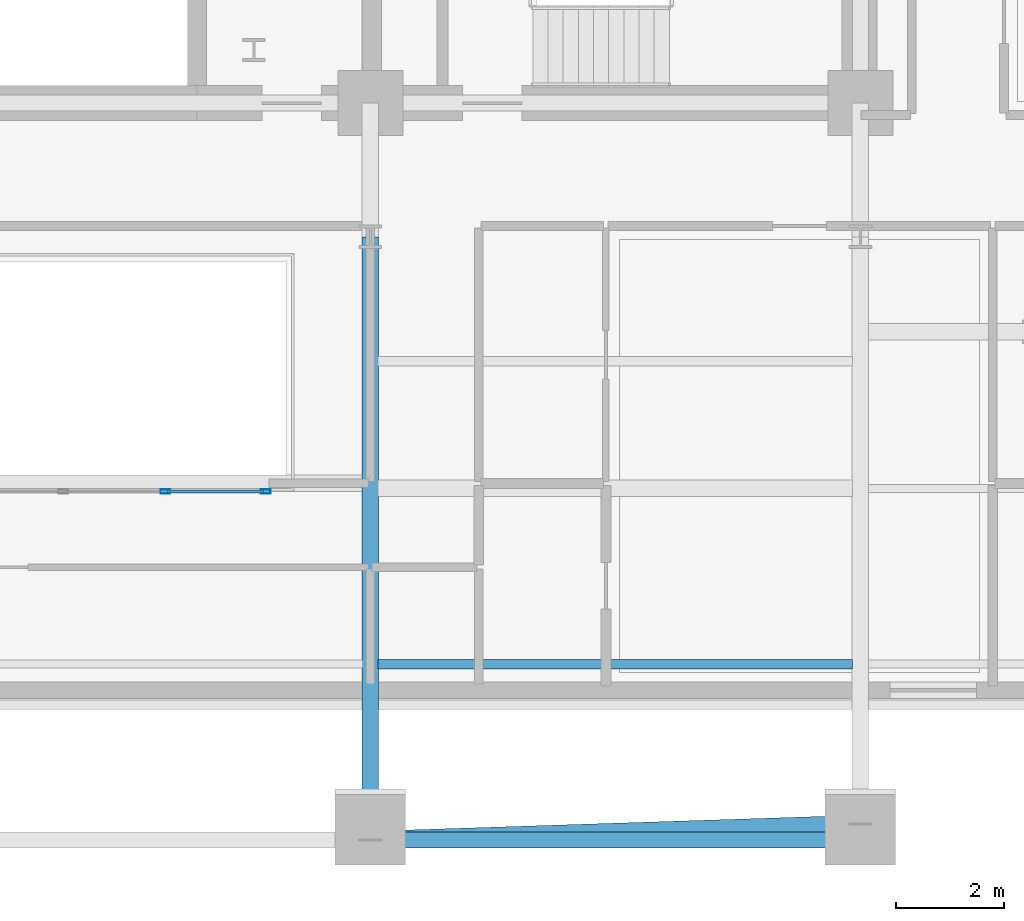
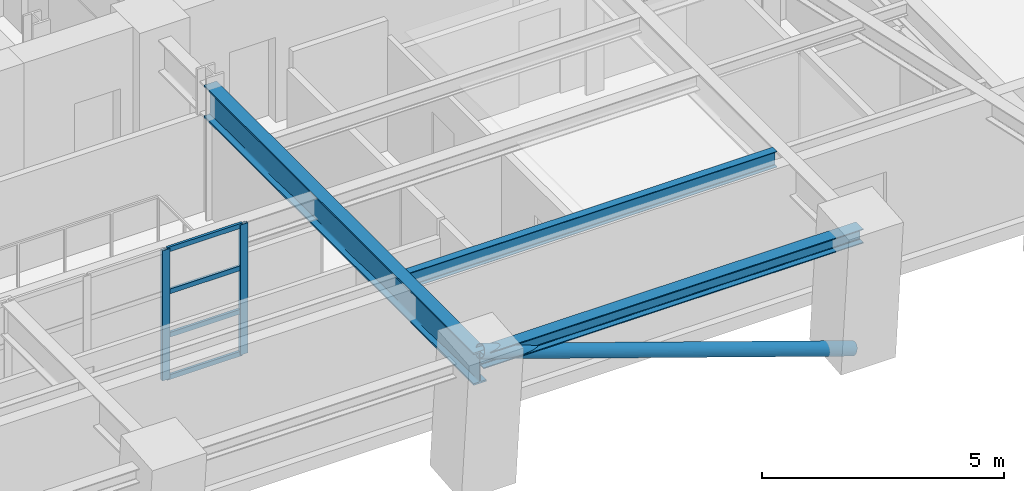
# One storey, part 4 of 14: 7 members, 3 beams, 1 element without a shape of its own.
"""IFC4 building model written with IfcOpenShell, lengths in metres."""

from ifc_helpers import new_model, si_unit, direction, frame, origin, origin_2d, place, context, subcontext, project, spatial, hollow_rectangle, hollow_circle, i_section, extrude, material, layer, layer_set, material_profile, profile_set, type_object, element, aggregate, save


model = new_model("IFC4")

# Units and contexts
model_context = context("Model", 3, precision=1e-05, world=origin(), true_north=direction((0.0, 1.0)))
body_context = subcontext(model_context, "Body", "Model", "MODEL_VIEW")
ifc_project = project(units=[si_unit("LENGTHUNIT", "METRE"), si_unit("AREAUNIT", "SQUARE_METRE"), si_unit("VOLUMEUNIT", "CUBIC_METRE"), si_unit("PLANEANGLEUNIT", "RADIAN"), si_unit("MASSUNIT", "GRAM", prefix="KILO")], contexts=[model_context])

# Site, building, storey
site_placement = place(None, origin())
site = spatial("IfcSite", under=ifc_project, at=site_placement, CompositionType="ELEMENT")
building_placement = place(site_placement, origin())
building = spatial("IfcBuilding", under=site, at=building_placement, Name="Zarnavel Station Tower", CompositionType="ELEMENT")
storey_placement = place(building_placement, frame((0.0, 0.0, 129.300048828125)))
storey = spatial("IfcBuildingStorey", under=building, at=storey_placement, Name="L35", CompositionType="ELEMENT", Elevation=129.300048828125)

# Curtain wall, members
ifc_material_1 = material(Name="Aluminium Dark Anodised and Solar-Control Glass", Category="aluminium")
ifc_layer = layer(ifc_material_1, 0.179931640625)
ifc_layer_set = layer_set([ifc_layer], Name="CWS3")
curtain_wall_type = type_object("IfcCurtainWallType", Name="CWS3", PredefinedType="NOTDEFINED", material=ifc_layer_set)
curtain_wall_placement = place(storey_placement, origin())
curtain_wall = element("IfcCurtainWall", 1, at=curtain_wall_placement, inside=storey, type_object=curtain_wall_type, Name="L35 Curtain Wall CWS3-L35-AS", PredefinedType="NOTDEFINED")
ifc_material_2 = material(Name="Steel S355J2 (Black Fluoropolymer Coated)", Category="steel")
ifc_material_profile_1 = material_profile(ifc_material_2, hollow_rectangle(XDim=0.080078125, YDim=0.179931640625, WallThickness=0.00634765625, at=origin_2d()), Name="RHS180x80x6.3")
ifc_profile_set_1 = profile_set([ifc_material_profile_1], Name="Steel S355J2 (Black Fluoropolymer Coated)")
member_type_1 = type_object("IfcMemberType", Name="CWS3_MUL", PredefinedType="MULLION", material=ifc_profile_set_1)
member_1_placement = place(storey_placement, frame((32.566650390625, 20.64990234375, 0.0), z_axis=(0.0, 0.0, 1.0), x_axis=(0.0, 1.0, 0.0)))
member_1 = element("IfcMember", 2, at=member_1_placement, type_object=member_type_1, Name="CW3 mullion 6", PredefinedType="MULLION", context=body_context, shape_type="SweptSolid", body=[
    extrude(hollow_rectangle(XDim=0.080078125, YDim=0.179931640625, WallThickness=0.00634765625, at=origin_2d()), origin(), (0.0, 0.0, 1.0), 3.280029296875),
])
member_2_placement = place(storey_placement, frame((34.419921875, 20.64990234375, 0.0), z_axis=(0.0, 0.0, 1.0), x_axis=(0.0, 1.0, 0.0)))
member_2 = element("IfcMember", 3, at=member_2_placement, type_object=member_type_1, Name="CW3 mullion 7", PredefinedType="MULLION", context=body_context, shape_type="SweptSolid", body=[
    extrude(hollow_rectangle(XDim=0.080078125, YDim=0.179931640625, WallThickness=0.00634765625, at=origin_2d()), origin(), (0.0, 0.0, 1.0), 3.280029296875),
])
ifc_material_3 = material(Name="Steel S355J2 (Black Fluoropolymer Coated)", Category="steel")
ifc_material_profile_2 = material_profile(ifc_material_3, hollow_rectangle(XDim=0.06005859375, YDim=0.1201171875, WallThickness=0.0048828125, at=origin_2d()), Name="RHS120x60x5")
ifc_profile_set_2 = profile_set([ifc_material_profile_2], Name="Steel S355J2 (Black Fluoropolymer Coated)")
member_type_2 = type_object("IfcMemberType", Name="CWS3_TRN", PredefinedType="USERDEFINED", material=ifc_profile_set_2)
member_3_placement = place(storey_placement, frame((32.5966796875, 20.64990234375, 0.030029296875), z_axis=(1.0, 0.0, 0.0), x_axis=(0.0, 1.0, 0.0)))
member_3 = element("IfcMember", 4, at=member_3_placement, type_object=member_type_2, Name="CW3 transom 6.1", ObjectType="TRANSOM", PredefinedType="USERDEFINED", context=body_context, shape_type="SweptSolid", body=[
    extrude(hollow_rectangle(XDim=0.06005859375, YDim=0.1201171875, WallThickness=0.0048828125, at=origin_2d()), origin(), (0.0, 0.0, 1.0), 1.793212890625),
])
member_4_placement = place(storey_placement, frame((32.5966796875, 20.64990234375, 1.09326171875), z_axis=(1.0, 0.0, 0.0), x_axis=(0.0, 1.0, 0.0)))
member_4 = element("IfcMember", 5, at=member_4_placement, type_object=member_type_2, Name="CW3 transom 6.2", ObjectType="TRANSOM", PredefinedType="USERDEFINED", context=body_context, shape_type="SweptSolid", body=[
    extrude(hollow_rectangle(XDim=0.06005859375, YDim=0.1201171875, WallThickness=0.0048828125, at=origin_2d()), origin(), (0.0, 0.0, 1.0), 1.793212890625),
])
member_5_placement = place(storey_placement, frame((32.5966796875, 20.64990234375, 2.186767578125), z_axis=(1.0, 0.0, 0.0), x_axis=(0.0, 1.0, 0.0)))
member_5 = element("IfcMember", 6, at=member_5_placement, type_object=member_type_2, Name="CW3 transom 6.3", ObjectType="TRANSOM", PredefinedType="USERDEFINED", context=body_context, shape_type="SweptSolid", body=[
    extrude(hollow_rectangle(XDim=0.06005859375, YDim=0.1201171875, WallThickness=0.0048828125, at=origin_2d()), origin(), (0.0, 0.0, 1.0), 1.793212890625),
])
member_6_placement = place(storey_placement, frame((32.5966796875, 20.64990234375, 3.25), z_axis=(1.0, 0.0, 0.0), x_axis=(0.0, 1.0, 0.0)))
member_6 = element("IfcMember", 7, at=member_6_placement, type_object=member_type_2, Name="CW3 transom 6.4", ObjectType="TRANSOM", PredefinedType="USERDEFINED", context=body_context, shape_type="SweptSolid", body=[
    extrude(hollow_rectangle(XDim=0.06005859375, YDim=0.1201171875, WallThickness=0.0048828125, at=origin_2d()), origin(), (0.0, 0.0, 1.0), 1.793212890625),
])
aggregate(curtain_wall, [member_1, member_2, member_3, member_4, member_5, member_6])

# Member
ifc_material_4 = material(Name="Steel S355J2", Category="steel")
ifc_material_profile_3 = material_profile(ifc_material_4, hollow_circle(Radius=0.161865234375, WallThickness=0.012451171875, at=origin_2d()), Name="CHS323.9x12.5")
ifc_profile_set_3 = profile_set([ifc_material_profile_3], Name="Steel S355J2")
member_type_3 = type_object("IfcMemberType", Name="DB_EXT_CHS324", PredefinedType="BRACE", material=ifc_profile_set_3)
member_7_placement = place(storey_placement, frame((45.39990234375, 14.5107421875, 0.0), z_axis=(-0.939705987953, -0.03085200678, 0.340588916266), x_axis=(0.03281387237, -0.999461479888, 0.0)))
element("IfcMember", 8, at=member_7_placement, inside=storey, type_object=member_type_3, Name="L35 Persian Exterior Diagonal Frame Brace 2", PredefinedType="BRACE", context=body_context, shape_type="SweptSolid", body=[
    extrude(hollow_circle(Radius=0.161865234375, WallThickness=0.012451171875, at=origin_2d()), origin(), (0.0, 0.0, 1.0), 9.63037109375),
])

# Beams
ifc_material_5 = material(Name="Steel S355J2", Category="steel")
ifc_material_profile_4 = material_profile(ifc_material_5, i_section(OverallWidth=0.300048828125, OverallDepth=0.360107421875, WebThickness=0.012451171875, FlangeThickness=0.0224609375, FilletRadius=0.027099609375, at=origin_2d()), Name="HEB360")
ifc_profile_set_4 = profile_set([ifc_material_profile_4], Name="Steel S355J2")
beam_type_1 = type_object("IfcBeamType", Name="EB_HEB360", PredefinedType="SPANDREL", material=ifc_profile_set_4)
beam_1_placement = place(storey_placement, frame((36.35009765625, 14.213623046875, 3.099853515625), z_axis=(1.0, 0.0, 0.0), x_axis=(0.0, 1.0, 0.0)))
element("IfcBeam", 9, at=beam_1_placement, inside=storey, type_object=beam_type_1, Name="L35 South Raked Spandrel 4", PredefinedType="SPANDREL", context=body_context, shape_type="SweptSolid", body=[
    extrude(i_section(OverallWidth=0.300048828125, OverallDepth=0.360107421875, WebThickness=0.012451171875, FlangeThickness=0.0224609375, FilletRadius=0.027099609375, at=origin_2d()), origin(), (0.0, 0.0, 1.0), 9.0498046875),
])
ifc_material_6 = material(Name="Steel S355J2", Category="steel")
ifc_material_profile_5 = material_profile(ifc_material_6, i_section(OverallWidth=0.179931640625, OverallDepth=0.39990234375, WebThickness=0.008544921875, FlangeThickness=0.013427734375, FilletRadius=0.02099609375, at=origin_2d()), Name="IPE400")
ifc_profile_set_5 = profile_set([ifc_material_profile_5], Name="Steel S355J2")
beam_type_2 = type_object("IfcBeamType", Name="FB_IPE400", PredefinedType="BEAM", material=ifc_profile_set_5)
beam_2_placement = place(storey_placement, frame((36.4951171875, 17.460205078125, 3.079833984375), z_axis=(1.0, 0.0, 0.0), x_axis=(0.0, 1.0, 0.0)))
element("IfcBeam", 10, at=beam_2_placement, inside=storey, type_object=beam_type_2, Name="L35 East Bay Beam 1", PredefinedType="BEAM", context=body_context, shape_type="SweptSolid", body=[
    extrude(i_section(OverallWidth=0.179931640625, OverallDepth=0.39990234375, WebThickness=0.008544921875, FlangeThickness=0.013427734375, FilletRadius=0.02099609375, at=origin_2d()), origin(), (0.0, 0.0, 1.0), 8.759765625),
])
ifc_material_7 = material(Name="Steel S460M", Category="steel")
ifc_material_profile_6 = material_profile(ifc_material_7, i_section(OverallWidth=0.302978515625, OverallDepth=0.81396484375, WebThickness=0.02099609375, FlangeThickness=0.0400390625, FilletRadius=0.030029296875, at=origin_2d()), Name="HEM800")
ifc_profile_set_6 = profile_set([ifc_material_profile_6], Name="Steel S460M")
beam_type_3 = type_object("IfcBeamType", Name="FG_HEM800", PredefinedType="USERDEFINED", material=ifc_profile_set_6)
beam_3_placement = place(storey_placement, frame((36.35009765625, 14.213623046875, 2.873046875), z_axis=(0.0, 1.0, 0.0), x_axis=(-1.0, 0.0, 0.0)))
element("IfcBeam", 11, at=beam_3_placement, inside=storey, type_object=beam_type_3, Name="L35 South-Zone NS Girder 4", ObjectType="GIRDER", PredefinedType="USERDEFINED", context=body_context, shape_type="SweptSolid", body=[
    extrude(i_section(OverallWidth=0.302978515625, OverallDepth=0.81396484375, WebThickness=0.02099609375, FlangeThickness=0.0400390625, FilletRadius=0.030029296875, at=origin_2d()), origin(), (0.0, 0.0, 1.0), 11.136474609375),
])

save(model, "model.ifc")
